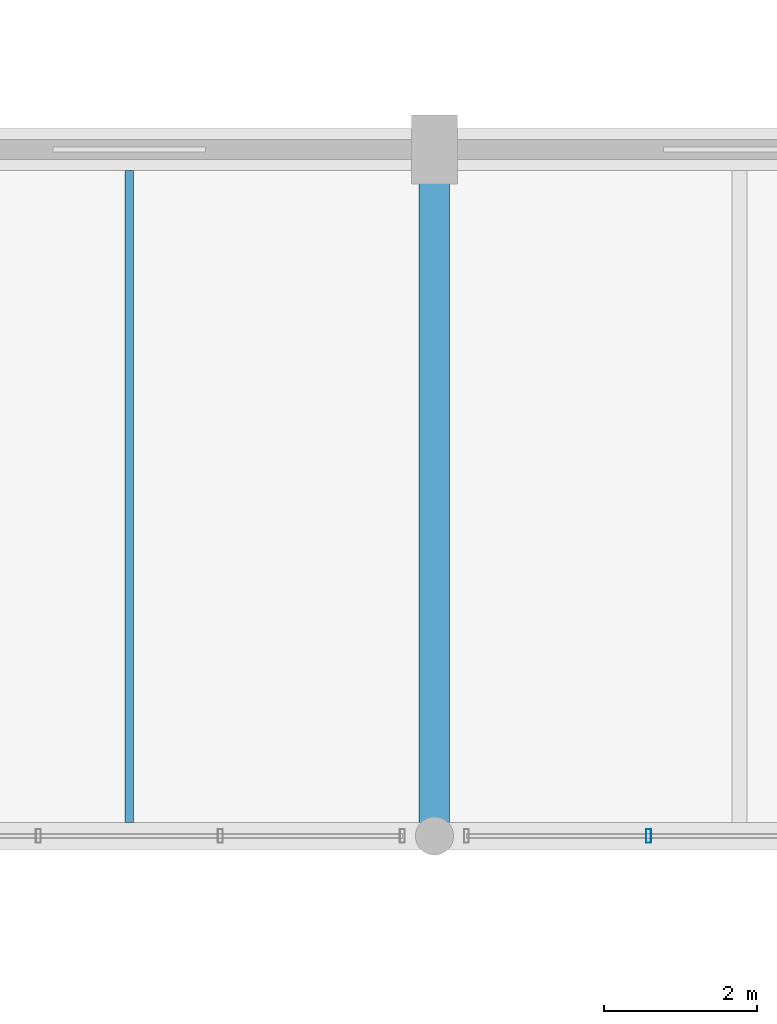
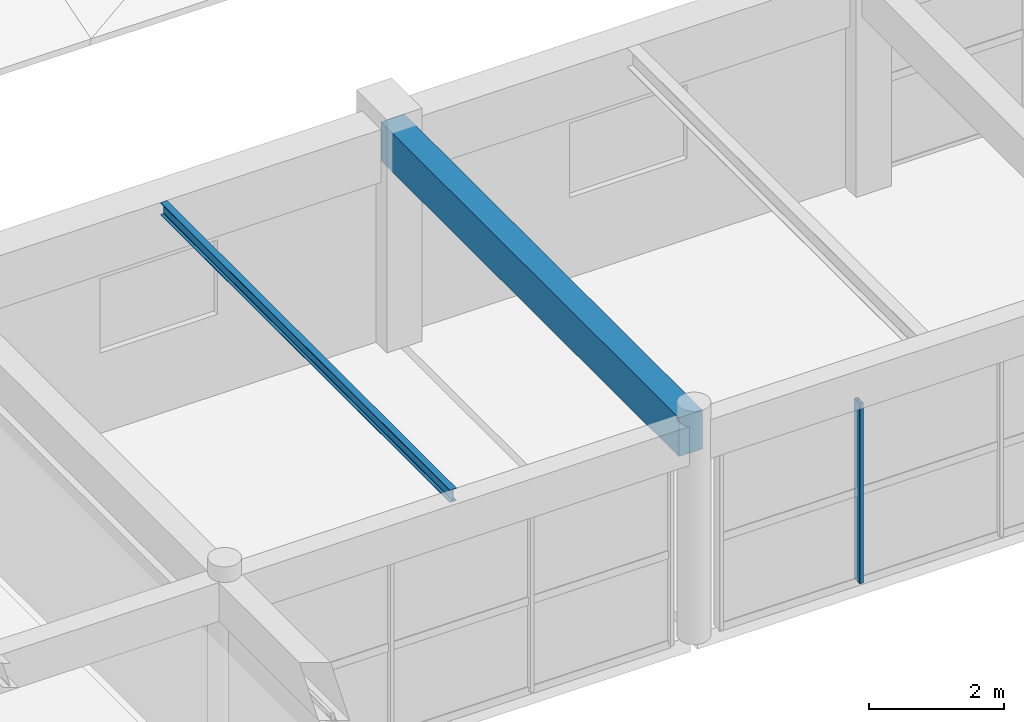
# One storey, part 14 of 63: 2 beams, 1 member, 1 element without a shape of its own.
"""IFC4 building model written with IfcOpenShell, lengths in metres."""

from ifc_helpers import new_model, si_unit, direction, frame, origin, origin_2d, place, context, subcontext, project, spatial, rectangle, hollow_rectangle, i_section, extrude, material, material_profile, profile_set, type_object, element, aggregate, save


model = new_model("IFC4")

# Units and contexts
model_context = context("Model", 3, precision=1e-05, world=origin(), true_north=direction((0.0, 1.0)))
body_context = subcontext(model_context, "Body", "Model", "MODEL_VIEW")
ifc_project = project(units=[si_unit("LENGTHUNIT", "METRE"), si_unit("AREAUNIT", "SQUARE_METRE"), si_unit("VOLUMEUNIT", "CUBIC_METRE"), si_unit("PLANEANGLEUNIT", "RADIAN"), si_unit("MASSUNIT", "GRAM", prefix="KILO")], contexts=[model_context])

# Site, building, storey
site_placement = place(None, origin())
site = spatial("IfcSite", under=ifc_project, at=site_placement, CompositionType="ELEMENT")
building_placement = place(site_placement, origin())
building = spatial("IfcBuilding", under=site, at=building_placement, Name="Varnabhumi Central Station", CompositionType="ELEMENT")
storey_placement = place(building_placement, frame((0.0, 0.0, 20.39990234375)))
storey = spatial("IfcBuildingStorey", under=building, at=storey_placement, Name="L04", CompositionType="ELEMENT", Elevation=20.39990234375)

# Beams
ifc_material_1 = material(Name="Concrete M40", Category="concrete")
ifc_material_profile_1 = material_profile(ifc_material_1, rectangle(XDim=0.39990234375, YDim=0.699951171875, at=origin_2d()), Name="Concrete M40", Category="concrete")
ifc_profile_set_1 = profile_set([ifc_material_profile_1], Name="Concrete M40")
beam_type_1 = type_object("IfcBeamType", Name="BM-RC-700x400", PredefinedType="BEAM", material=ifc_profile_set_1)
beam_1_placement = place(storey_placement, frame((120.0, 27.10009765625, 3.570068359375), z_axis=(0.0, 1.0, 0.0), x_axis=(-1.0, 0.0, 0.0)))
element("IfcBeam", 1, at=beam_1_placement, inside=storey, type_object=beam_type_1, Name="Beam L04-16:D-E", PredefinedType="BEAM", context=body_context, shape_type="SweptSolid", body=[
    extrude(rectangle(XDim=0.39990234375, YDim=0.699951171875, at=origin_2d()), origin(), (0.0, 0.0, 1.0), 8.7998046875),
])
ifc_material_2 = material(Name="Structural steel E350", Category="steel")
ifc_material_profile_2 = material_profile(ifc_material_2, i_section(OverallWidth=0.110107421875, OverallDepth=0.22509765625, WebThickness=0.006591796875, FlangeThickness=0.01171875, FilletRadius=0.011962890625, at=origin_2d()), Name="Structural steel E350", Category="steel")
ifc_profile_set_2 = profile_set([ifc_material_profile_2], Name="Structural steel E350")
beam_type_2 = type_object("IfcBeamType", Name="BM-STL-ISMB225", PredefinedType="JOIST", material=ifc_profile_set_2)
beam_2_placement = place(storey_placement, frame((116.0, 27.175048828125, 3.8076171875), z_axis=(0.0, 1.0, 0.0), x_axis=(-1.0, 0.0, 0.0)))
element("IfcBeam", 2, at=beam_2_placement, inside=storey, type_object=beam_type_2, Name="Secondary Joist L04-15/16:D-E", PredefinedType="JOIST", context=body_context, shape_type="SweptSolid", body=[
    extrude(i_section(OverallWidth=0.110107421875, OverallDepth=0.22509765625, WebThickness=0.006591796875, FlangeThickness=0.01171875, FilletRadius=0.011962890625, at=origin_2d()), origin(), (0.0, 0.0, 1.0), 8.550048828125),
])

# Curtain wall, member
ifc_material_3 = material(Name="Anodised aluminium 6063-T6", Category="aluminium")
curtain_wall_type = type_object("IfcCurtainWallType", Name="CW-PATIO-LOGGIA-L3", PredefinedType="NOTDEFINED", material=ifc_material_3)
curtain_wall_placement = place(storey_placement, origin())
curtain_wall = element("IfcCurtainWall", 3, at=curtain_wall_placement, inside=storey, type_object=curtain_wall_type, Name="Curtain Wall CW-SP4N2", PredefinedType="NOTDEFINED")
ifc_material_profile_3 = material_profile(ifc_material_3, hollow_rectangle(XDim=0.06494140625, YDim=0.179931640625, WallThickness=0.00390625, InnerFilletRadius=0.001953125, OuterFilletRadius=0.006103515625, at=origin_2d()), Name="Anodised aluminium 6063-T6", Category="aluminium")
ifc_profile_set_3 = profile_set([ifc_material_profile_3], Name="Anodised aluminium 6063-T6")
member_type = type_object("IfcMemberType", Name="CW-MUL-180", PredefinedType="MULLION", material=ifc_profile_set_3)
member_placement = place(storey_placement, frame((122.806640625, 27.0, 0.0), z_axis=(0.0, 0.0, 1.0), x_axis=(1.0, 0.0, 0.0)))
member = element("IfcMember", 4, at=member_placement, type_object=member_type, Name="Curtain Wall Mullion CW-SP4N2-M2", PredefinedType="MULLION", context=body_context, shape_type="SweptSolid", body=[
    extrude(hollow_rectangle(XDim=0.06494140625, YDim=0.179931640625, WallThickness=0.00390625, InnerFilletRadius=0.001953125, OuterFilletRadius=0.006103515625, at=origin_2d()), origin(), (0.0, 0.0, 1.0), 3.239990234375),
])
aggregate(curtain_wall, [member])

save(model, "model.ifc")
